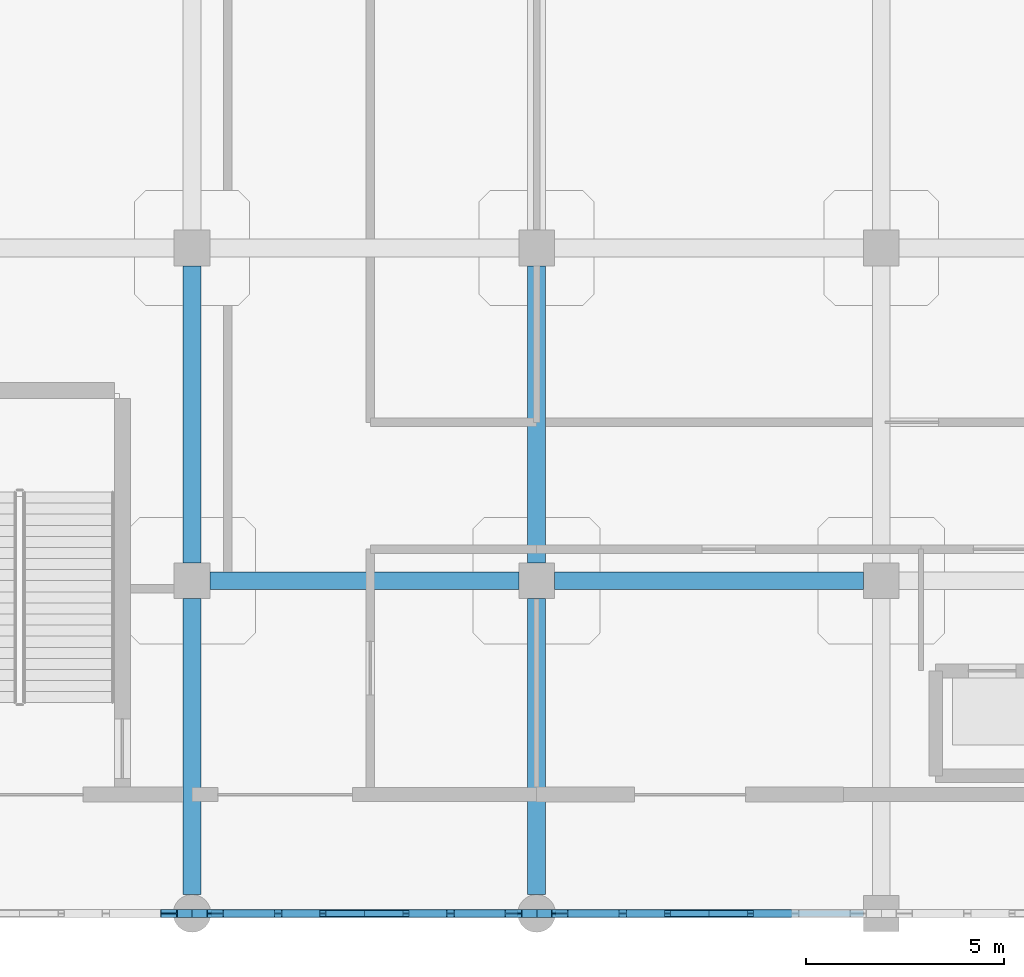
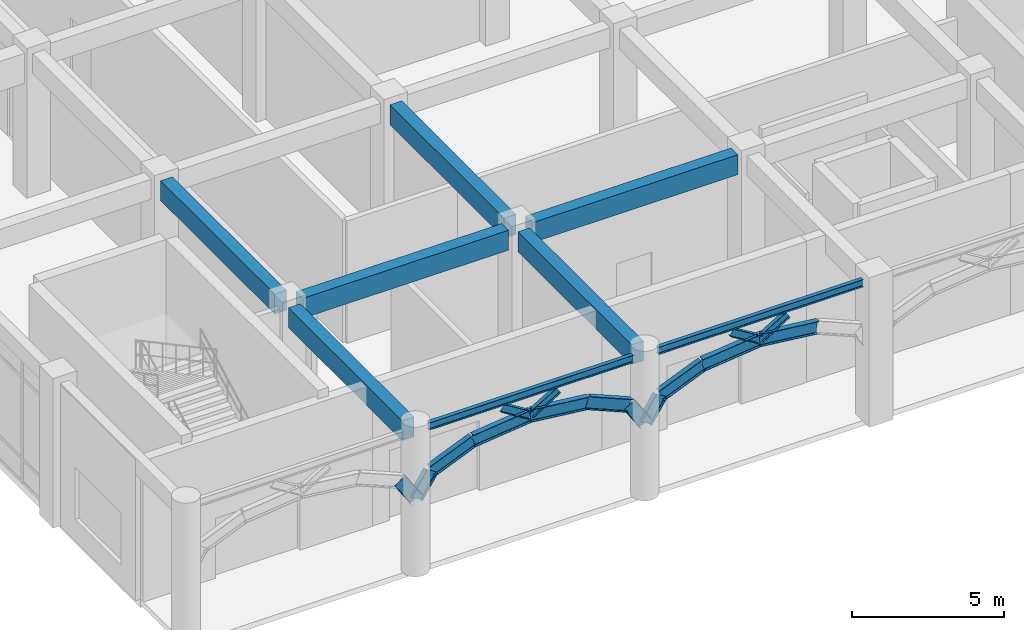
# One storey, part 15 of 82: 19 beams, 4 members.
"""IFC4 building model written with IfcOpenShell, lengths in metres."""

from ifc_helpers import new_model, si_unit, derived_unit, direction, frame, origin, origin_2d, place, context, subcontext, project, spatial, rectangle, i_section, extrude, material, material_profile, profile_set, type_object, element, save


model = new_model("IFC4")

# Units and contexts
model_context = context("Model", 3, precision=1e-05, world=origin(), true_north=direction((0.0, 1.0)))
body_context = subcontext(model_context, "Body", "Model", "MODEL_VIEW")
ifc_project = project(units=[si_unit("LENGTHUNIT", "METRE"), si_unit("AREAUNIT", "SQUARE_METRE"), si_unit("VOLUMEUNIT", "CUBIC_METRE"), si_unit("PLANEANGLEUNIT", "RADIAN"), si_unit("MASSUNIT", "GRAM", prefix="KILO"), derived_unit("THERMALTRANSMITTANCEUNIT", [(si_unit("MASSUNIT", "GRAM", prefix="KILO"), 1), (si_unit("TIMEUNIT", "SECOND"), -3), (si_unit("THERMODYNAMICTEMPERATUREUNIT", "KELVIN"), -1)])], contexts=[model_context])

# Site, building, storey
site_placement = place(None, origin())
site = spatial("IfcSite", under=ifc_project, at=site_placement, CompositionType="ELEMENT")
building_placement = place(site_placement, origin())
building = spatial("IfcBuilding", under=site, at=building_placement, Name="Qinzheling Arcade Emporium", CompositionType="ELEMENT")
storey_placement = place(building_placement, origin())
storey = spatial("IfcBuildingStorey", under=building, at=storey_placement, Name="L01", CompositionType="ELEMENT", Elevation=0.0)

# Beams
ifc_material_1 = material(Name="Weathering steel Q355NH", Category="steel")
ifc_material_profile_1 = material_profile(ifc_material_1, i_section(OverallWidth=0.199951171875, OverallDepth=0.5, WebThickness=0.010009765625, FlangeThickness=0.01611328125, FilletRadius=0.01806640625, at=origin_2d()), Name="HN 500x200x10x16", Category="steel")
ifc_profile_set_1 = profile_set([ifc_material_profile_1], Name="Weathering steel Q355NH")
beam_type_1 = type_object("IfcBeamType", Name="Arcade End Arch Rib HN500 Q355NH", PredefinedType="BEAM", material=ifc_profile_set_1)
for number, where, z_axis, x_axis, name in (
    (1, (112.51708984375, 0.0, 3.737060546875), (0.538567218058, 0.0, -0.842582548854), (0.0, 1.0, 0.0), "Street Entrance Arch ARC-L01-S06-C06"),
    (2, (113.10009765625, 0.0, 2.824951171875), (0.538567218058, 0.0, 0.842582548854), (0.0, 1.0, 0.0), "Street Entrance Arch ARC-L01-S07-C01"),
):
    element("IfcBeam", number, at=place(storey_placement, frame(where, z_axis=z_axis, x_axis=x_axis)), inside=storey, type_object=beam_type_1, Name=name, PredefinedType="BEAM", context=body_context, shape_type="SweptSolid", body=[
        extrude(i_section(OverallWidth=0.199951171875, OverallDepth=0.5, WebThickness=0.010009765625, FlangeThickness=0.01611328125, FilletRadius=0.01806640625, at=origin_2d()), origin(), (0.0, 0.0, 1.0), 1.08251953125),
    ])
beam_1_placement = place(storey_placement, frame((113.68310546875, 0.0, 3.737060546875), z_axis=(0.922103242281, 0.0, 0.386943937251), x_axis=(0.0, 1.0, 0.0)))
element("IfcBeam", 3, at=beam_1_placement, inside=storey, type_object=beam_type_1, Name="Street Entrance Arch ARC-L01-S07-C02", PredefinedType="BEAM", context=body_context, shape_type="SweptSolid", body=[
    extrude(i_section(OverallWidth=0.199951171875, OverallDepth=0.5, WebThickness=0.010009765625, FlangeThickness=0.01611328125, FilletRadius=0.01806640625, at=origin_2d()), origin(), (0.0, 0.0, 1.0), 1.726318359375),
])
for number, where, z_axis, x_axis, name in (
    (4, (115.27490234375, 0.0, 4.405029296875), (0.993722174052, 0.0, 0.11187600635), (0.0, 1.0, 0.0), "Street Entrance Arch ARC-L01-S07-C03"),
    (5, (117.449951171875, 0.0, 4.64990234375), (0.993722174052, 0.0, -0.11187600635), (0.0, 1.0, 0.0), "Street Entrance Arch ARC-L01-S07-C04"),
):
    element("IfcBeam", number, at=place(storey_placement, frame(where, z_axis=z_axis, x_axis=x_axis)), inside=storey, type_object=beam_type_1, Name=name, PredefinedType="BEAM", context=body_context, shape_type="SweptSolid", body=[
        extrude(i_section(OverallWidth=0.199951171875, OverallDepth=0.5, WebThickness=0.010009765625, FlangeThickness=0.01611328125, FilletRadius=0.01806640625, at=origin_2d()), origin(), (0.0, 0.0, 1.0), 2.188720703125),
    ])
beam_2_placement = place(storey_placement, frame((119.625, 0.0, 4.405029296875), z_axis=(0.922124413365, 0.0, -0.386893481823), x_axis=(0.0, 1.0, 0.0)))
element("IfcBeam", 6, at=beam_2_placement, inside=storey, type_object=beam_type_1, Name="Street Entrance Arch ARC-L01-S07-C05", PredefinedType="BEAM", context=body_context, shape_type="SweptSolid", body=[
    extrude(i_section(OverallWidth=0.199951171875, OverallDepth=0.5, WebThickness=0.010009765625, FlangeThickness=0.01611328125, FilletRadius=0.01806640625, at=origin_2d()), origin(), (0.0, 0.0, 1.0), 1.7265625),
])
beam_3_placement = place(storey_placement, frame((121.217041015625, 0.0, 3.737060546875), z_axis=(0.538567218058, 0.0, -0.842582548854), x_axis=(0.0, 1.0, 0.0)))
element("IfcBeam", 7, at=beam_3_placement, inside=storey, type_object=beam_type_1, Name="Street Entrance Arch ARC-L01-S07-C06", PredefinedType="BEAM", context=body_context, shape_type="SweptSolid", body=[
    extrude(i_section(OverallWidth=0.199951171875, OverallDepth=0.5, WebThickness=0.010009765625, FlangeThickness=0.01611328125, FilletRadius=0.01806640625, at=origin_2d()), origin(), (0.0, 0.0, 1.0), 1.08251953125),
])
beam_4_placement = place(storey_placement, frame((121.800048828125, 0.0, 2.81005859375), z_axis=(0.53826032842, 0.0, 0.842778629801), x_axis=(0.0, 1.0, 0.0)))
element("IfcBeam", 8, at=beam_4_placement, inside=storey, type_object=beam_type_1, Name="Street Entrance Arch ARC-L01-S08-C01", PredefinedType="BEAM", context=body_context, shape_type="SweptSolid", body=[
    extrude(i_section(OverallWidth=0.199951171875, OverallDepth=0.5, WebThickness=0.010009765625, FlangeThickness=0.01611328125, FilletRadius=0.01806640625, at=origin_2d()), origin(), (0.0, 0.0, 1.0), 1.083251953125),
])
beam_5_placement = place(storey_placement, frame((122.383056640625, 0.0, 3.722900390625), z_axis=(0.922326129736, 0.0, 0.386412357988), x_axis=(0.0, 1.0, 0.0)))
element("IfcBeam", 9, at=beam_5_placement, inside=storey, type_object=beam_type_1, Name="Street Entrance Arch ARC-L01-S08-C02", PredefinedType="BEAM", context=body_context, shape_type="SweptSolid", body=[
    extrude(i_section(OverallWidth=0.199951171875, OverallDepth=0.5, WebThickness=0.010009765625, FlangeThickness=0.01611328125, FilletRadius=0.01806640625, at=origin_2d()), origin(), (0.0, 0.0, 1.0), 1.72607421875),
])
beam_6_placement = place(storey_placement, frame((123.97509765625, 0.0, 4.389892578125), z_axis=(0.993708368594, 0.0, 0.111998563322), x_axis=(0.0, 1.0, 0.0)))
element("IfcBeam", 10, at=beam_6_placement, inside=storey, type_object=beam_type_1, Name="Street Entrance Arch ARC-L01-S08-C03", PredefinedType="BEAM", context=body_context, shape_type="SweptSolid", body=[
    extrude(i_section(OverallWidth=0.199951171875, OverallDepth=0.5, WebThickness=0.010009765625, FlangeThickness=0.01611328125, FilletRadius=0.01806640625, at=origin_2d()), origin(), (0.0, 0.0, 1.0), 2.1884765625),
])
beam_7_placement = place(storey_placement, frame((126.14990234375, 0.0, 4.635009765625), z_axis=(0.993709767638, 0.0, -0.111986149591), x_axis=(0.0, 1.0, 0.0)))
element("IfcBeam", 11, at=beam_7_placement, inside=storey, type_object=beam_type_1, Name="Street Entrance Arch ARC-L01-S08-C04", PredefinedType="BEAM", context=body_context, shape_type="SweptSolid", body=[
    extrude(i_section(OverallWidth=0.199951171875, OverallDepth=0.5, WebThickness=0.010009765625, FlangeThickness=0.01611328125, FilletRadius=0.01806640625, at=origin_2d()), origin(), (0.0, 0.0, 1.0), 2.188720703125),
])

# Members
ifc_material_profile_2 = material_profile(ifc_material_1, i_section(OverallWidth=0.14990234375, OverallDepth=0.300048828125, WebThickness=0.006591796875, FlangeThickness=0.009033203125, FilletRadius=0.012939453125, at=origin_2d()), Name="HN 300x150x6.5x9", Category="steel")
ifc_profile_set_2 = profile_set([ifc_material_profile_2], Name="Weathering steel Q355NH")
member_type = type_object("IfcMemberType", Name="Arcade Spandrel Web Chord HN300 Q355NH", PredefinedType="CHORD", material=ifc_profile_set_2)
for number, where, z_axis, x_axis, name in (
    (12, (117.449951171875, 0.0, 4.659912109375), (-0.853845673448, 0.0, 0.520526239428), (0.0, -1.0, 0.0), "Street Spandrel Web Chord ASW-L01-S07-W1"),
    (13, (117.449951171875, 0.0, 4.659912109375), (0.853845673448, 0.0, 0.520526239428), (0.0, 1.0, 0.0), "Street Spandrel Web Chord ASW-L01-S07-W2"),
):
    element("IfcMember", number, at=place(storey_placement, frame(where, z_axis=z_axis, x_axis=x_axis)), inside=storey, type_object=member_type, Name=name, PredefinedType="CHORD", context=body_context, shape_type="SweptSolid", body=[
        extrude(i_section(OverallWidth=0.14990234375, OverallDepth=0.300048828125, WebThickness=0.006591796875, FlangeThickness=0.009033203125, FilletRadius=0.012939453125, at=origin_2d()), origin(), (0.0, 0.0, 1.0), 1.229736328125),
    ])
member_1_placement = place(storey_placement, frame((126.14990234375, 0.0, 4.64501953125), z_axis=(-0.853880124948, 0.0, 0.520469722672), x_axis=(0.0, -1.0, 0.0)))
element("IfcMember", 14, at=member_1_placement, inside=storey, type_object=member_type, Name="Street Spandrel Web Chord ASW-L01-S08-W1", PredefinedType="CHORD", context=body_context, shape_type="SweptSolid", body=[
    extrude(i_section(OverallWidth=0.14990234375, OverallDepth=0.300048828125, WebThickness=0.006591796875, FlangeThickness=0.009033203125, FilletRadius=0.012939453125, at=origin_2d()), origin(), (0.0, 0.0, 1.0), 1.2294921875),
])
member_2_placement = place(storey_placement, frame((126.14990234375, 0.0, 4.64501953125), z_axis=(0.85393390348, 0.0, 0.520381483613), x_axis=(0.0, 1.0, 0.0)))
element("IfcMember", 15, at=member_2_placement, inside=storey, type_object=member_type, Name="Street Spandrel Web Chord ASW-L01-S08-W2", PredefinedType="CHORD", context=body_context, shape_type="SweptSolid", body=[
    extrude(i_section(OverallWidth=0.14990234375, OverallDepth=0.300048828125, WebThickness=0.006591796875, FlangeThickness=0.009033203125, FilletRadius=0.012939453125, at=origin_2d()), origin(), (0.0, 0.0, 1.0), 1.229736328125),
])

# Beams
ifc_material_2 = material(Name="Concrete C40", Category="concrete")
ifc_material_profile_3 = material_profile(ifc_material_2, rectangle(XDim=0.449951171875, YDim=0.800048828125, at=origin_2d()), Name="RC 450x800", Category="concrete")
ifc_profile_set_3 = profile_set([ifc_material_profile_3], Name="Concrete C40")
beam_type_2 = type_object("IfcBeamType", Name="RC Primary Frame Beam 450x800 C40", PredefinedType="BEAM", material=ifc_profile_set_3)
for number, where, z_axis, x_axis, name in (
    (16, (113.550048828125, 8.39990234375, 5.320068359375), (1.0, 0.0, 0.0), (0.0, 1.0, 0.0), "Beam BM-L01-X-B-14"),
    (17, (122.25, 8.39990234375, 5.304931640625), (1.0, 0.0, 0.0), (0.0, 1.0, 0.0), "Beam BM-L01-X-B-15"),
):
    element("IfcBeam", number, at=place(storey_placement, frame(where, z_axis=z_axis, x_axis=x_axis)), inside=storey, type_object=beam_type_2, Name=name, PredefinedType="BEAM", context=body_context, shape_type="SweptSolid", body=[
        extrude(rectangle(XDim=0.449951171875, YDim=0.800048828125, at=origin_2d()), origin(), (0.0, 0.0, 1.0), 7.800048828125),
    ])
beam_8_placement = place(storey_placement, frame((113.10009765625, 0.47509765625, 5.320068359375), z_axis=(0.0, 1.0, 0.0), x_axis=(-1.0, 0.0, 0.0)))
element("IfcBeam", 18, at=beam_8_placement, inside=storey, type_object=beam_type_2, Name="Beam BM-L01-Y-14-A", PredefinedType="BEAM", context=body_context, shape_type="SweptSolid", body=[
    extrude(rectangle(XDim=0.449951171875, YDim=0.800048828125, at=origin_2d()), origin(), (0.0, 0.0, 1.0), 7.474853515625),
])
beam_9_placement = place(storey_placement, frame((113.10009765625, 8.85009765625, 5.320068359375), z_axis=(0.0, 1.0, 0.0), x_axis=(-1.0, 0.0, 0.0)))
element("IfcBeam", 19, at=beam_9_placement, inside=storey, type_object=beam_type_2, Name="Beam BM-L01-Y-14-B", PredefinedType="BEAM", context=body_context, shape_type="SweptSolid", body=[
    extrude(rectangle(XDim=0.449951171875, YDim=0.800048828125, at=origin_2d()), origin(), (0.0, 0.0, 1.0), 7.5),
])
beam_10_placement = place(storey_placement, frame((121.800048828125, 0.47509765625, 5.320068359375), z_axis=(0.0, 1.0, 0.0), x_axis=(-1.0, 0.0, 0.0)))
element("IfcBeam", 20, at=beam_10_placement, inside=storey, type_object=beam_type_2, Name="Beam BM-L01-Y-15-A", PredefinedType="BEAM", context=body_context, shape_type="SweptSolid", body=[
    extrude(rectangle(XDim=0.449951171875, YDim=0.800048828125, at=origin_2d()), origin(), (0.0, 0.0, 1.0), 7.474853515625),
])
beam_11_placement = place(storey_placement, frame((121.800048828125, 8.85009765625, 5.320068359375), z_axis=(0.0, 1.0, 0.0), x_axis=(-1.0, 0.0, 0.0)))
element("IfcBeam", 21, at=beam_11_placement, inside=storey, type_object=beam_type_2, Name="Beam BM-L01-Y-15-B", PredefinedType="BEAM", context=body_context, shape_type="SweptSolid", body=[
    extrude(rectangle(XDim=0.449951171875, YDim=0.800048828125, at=origin_2d()), origin(), (0.0, 0.0, 1.0), 7.5),
])
ifc_material_3 = material(Name="Structural steel Q355B", Category="steel")
ifc_material_profile_4 = material_profile(ifc_material_3, i_section(OverallWidth=0.14990234375, OverallDepth=0.300048828125, WebThickness=0.006591796875, FlangeThickness=0.009033203125, FilletRadius=0.012939453125, at=origin_2d()), Name="HN 300x150x6.5x9", Category="steel")
ifc_profile_set_4 = profile_set([ifc_material_profile_4], Name="Structural steel Q355B")
beam_type_3 = type_object("IfcBeamType", Name="Shopfront Portal Lintel HN300 Q355B", PredefinedType="LINTEL", material=ifc_profile_set_4)
beam_12_placement = place(storey_placement, frame((113.574951171875, 0.0, 5.570068359375), z_axis=(1.0, 0.0, 0.0), x_axis=(0.0, 1.0, 0.0)))
element("IfcBeam", 22, at=beam_12_placement, inside=storey, type_object=beam_type_3, Name="Beam BM-L01-X-A-14", PredefinedType="LINTEL", context=body_context, shape_type="SweptSolid", body=[
    extrude(i_section(OverallWidth=0.14990234375, OverallDepth=0.300048828125, WebThickness=0.006591796875, FlangeThickness=0.009033203125, FilletRadius=0.012939453125, at=origin_2d()), origin(), (0.0, 0.0, 1.0), 7.75),
])
beam_13_placement = place(storey_placement, frame((122.27490234375, 0.0, 5.554931640625), z_axis=(1.0, 0.0, 0.0), x_axis=(0.0, 1.0, 0.0)))
element("IfcBeam", 23, at=beam_13_placement, inside=storey, type_object=beam_type_3, Name="Beam BM-L01-X-A-15", PredefinedType="LINTEL", context=body_context, shape_type="SweptSolid", body=[
    extrude(i_section(OverallWidth=0.14990234375, OverallDepth=0.300048828125, WebThickness=0.006591796875, FlangeThickness=0.009033203125, FilletRadius=0.012939453125, at=origin_2d()), origin(), (0.0, 0.0, 1.0), 7.775146484375),
])

save(model, "model.ifc")
